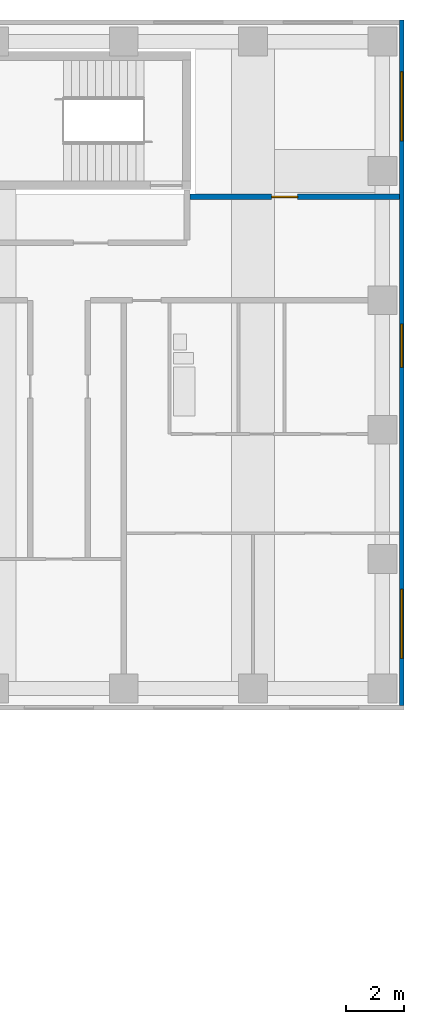
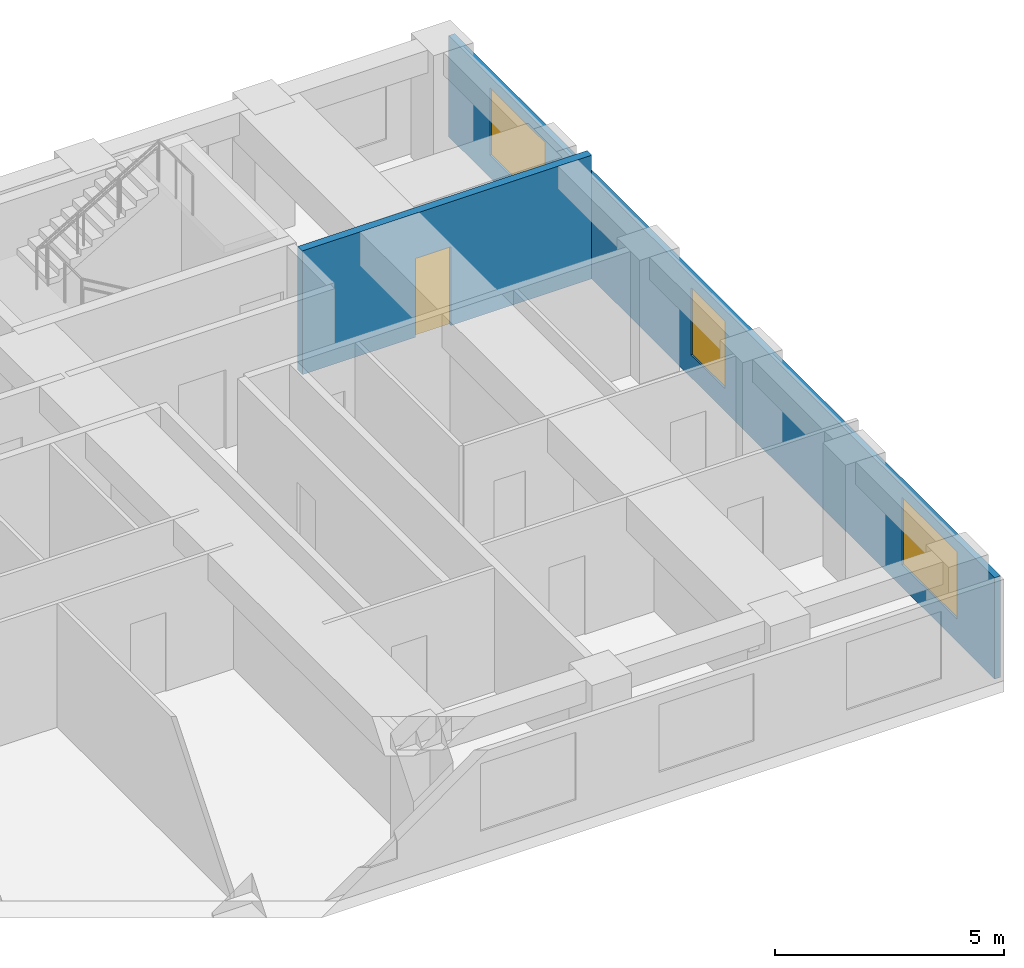
# One storey, part 9 of 12: 3 windows, 2 walls, 1 door, 4 openings.
"""IFC4 building model written with IfcOpenShell, lengths in metres."""

from ifc_helpers import new_model, si_unit, direction, frame, frame_2d, origin, place, context, subcontext, project, spatial, rectangle, extrude, material, layer, layer_set, type_object, element, fill, save


model = new_model("IFC4")

# Units and contexts
model_context = context("Model", 3, precision=1e-05, world=origin(), true_north=direction((0.0, 1.0)))
body_context = subcontext(model_context, "Body", "Model", "MODEL_VIEW")
ifc_project = project(units=[si_unit("LENGTHUNIT", "METRE"), si_unit("AREAUNIT", "SQUARE_METRE"), si_unit("VOLUMEUNIT", "CUBIC_METRE"), si_unit("PLANEANGLEUNIT", "RADIAN"), si_unit("MASSUNIT", "GRAM", prefix="KILO")], contexts=[model_context])

# Site, building, storey
site_placement = place(None, origin())
site = spatial("IfcSite", under=ifc_project, at=site_placement, CompositionType="ELEMENT")
building_placement = place(site_placement, origin())
building = spatial("IfcBuilding", under=site, at=building_placement, Name="Firuza Court", CompositionType="ELEMENT")
storey_placement = place(building_placement, frame((0.0, 0.0, 166.39990234375)))
storey = spatial("IfcBuildingStorey", under=building, at=storey_placement, Name="L42", CompositionType="ELEMENT", Elevation=166.39990234375)

# Wall, opening, door
ifc_material_1 = material(Name="Blockwork, plastered both sides", Category="masonry")
ifc_layer_1 = layer(ifc_material_1, 0.199951171875)
ifc_layer_set_1 = layer_set([ifc_layer_1], Name="Blockwork, plastered both sides")
wall_type_1 = type_object("IfcWallType", Name="Corridor wall 200", PredefinedType="PARTITIONING", material=ifc_layer_set_1)
wall_1_placement = place(storey_placement, frame((60.800048828125, 53.10009765625, 0.0), z_axis=(0.0, 0.0, 1.0), x_axis=(1.0, 0.0, 0.0)))
wall_1 = element("IfcWall", 1, at=wall_1_placement, inside=storey, type_object=wall_type_1, Name="Corridor wall 200 L42", PredefinedType="PARTITIONING", context=body_context, shape_type="SweptSolid", body=[
    extrude(rectangle(XDim=7.300048828125, YDim=0.199951171875, at=frame_2d((3.64990234375, 0.0))), origin(), (0.0, 0.0, 1.0), 3.300048828125),
])
opening_1_placement = place(wall_1_placement, frame((2.85009765625, 0.0, 0.0)))
opening_1 = element("IfcOpeningElement", 2, at=opening_1_placement, cuts=wall_1, Name="Opening D42077", PredefinedType="OPENING", context=body_context, shape_type="SweptSolid", body=[
    extrude(rectangle(XDim=0.89990234375, YDim=2.10009765625, at=frame_2d((0.449951171875, 1.050048828125))), frame((0.0, 0.11181640625, 0.0), z_axis=(0.0, -1.0, 0.0), x_axis=(1.0, 0.0, 0.0)), (0.0, 0.0, 1.0), 0.223876953125),
])
ifc_material_2 = material(Name="Timber door leaf in hardwood frame", Category="wood")
door_type = type_object("IfcDoorType", Name="Room door 900 EI 30", OperationType="SINGLE_SWING_LEFT", PredefinedType="DOOR", material=ifc_material_2)
door_placement = place(opening_1_placement, origin())
door = element("IfcDoor", 3, at=door_placement, inside=storey, type_object=door_type, Name="Meeting room door", OperationType="SINGLE_SWING_LEFT", OverallHeight=2.10009765625, OverallWidth=0.89990234375, PredefinedType="DOOR", context=body_context, shape_type="SweptSolid", body=[
    extrude(rectangle(XDim=0.89990234375, YDim=2.10009765625, at=frame_2d((0.449951171875, 1.050048828125))), frame((0.0, 0.02490234375, 0.0), z_axis=(0.0, -1.0, 0.0), x_axis=(1.0, 0.0, 0.0)), (0.0, 0.0, 1.0), 0.050048828125),
])
fill(opening_1, door)

# Wall, openings, windows
ifc_material_3 = material(Name="Ceramic tile", Category="ceramic")
ifc_layer_2 = layer(ifc_material_3, 0.02001953125)
ifc_material_4 = material(Name="Mineral wool insulation", Category="insulation")
ifc_layer_3 = layer(ifc_material_4, 0.050048828125)
ifc_material_5 = material(Name="Concrete C40/50 precast", Category="concrete")
ifc_layer_4 = layer(ifc_material_5, 0.080078125)
ifc_layer_set_2 = layer_set([ifc_layer_2, ifc_layer_3, ifc_layer_4], Name="Concrete C40/50 precast")
wall_type_2 = type_object("IfcWallType", Name="Precast cladding wall with turquoise TILE PANEL face 150", PredefinedType="STANDARD", material=ifc_layer_set_2)
wall_2_placement = place(storey_placement, frame((68.175048828125, 35.39990234375, 0.0), z_axis=(0.0, 0.0, 1.0), x_axis=(0.0, 1.0, 0.0)))
wall_2 = element("IfcWall", 4, at=wall_2_placement, inside=storey, type_object=wall_type_2, Name="Facade wall L42 E", PredefinedType="STANDARD", context=body_context, shape_type="SweptSolid", body=[
    extrude(rectangle(XDim=23.85009765625, YDim=0.14990234375, at=frame_2d((11.925048828125, 0.0))), origin(), (0.0, 0.0, 1.0), 2.7001953125),
])
opening_2_placement = place(wall_2_placement, frame((1.64990234375, 0.0, 0.60009765625)))
opening_2 = element("IfcOpeningElement", 5, at=opening_2_placement, cuts=wall_2, Name="Opening W1", PredefinedType="OPENING", context=body_context, shape_type="SweptSolid", body=[
    extrude(rectangle(XDim=2.39990234375, YDim=1.800048828125, at=frame_2d((1.199951171875, 0.89990234375))), frame((0.0, 0.0869140625, 0.0), z_axis=(0.0, -1.0, 0.0), x_axis=(1.0, 0.0, 0.0)), (0.0, 0.0, 1.0), 0.173828125),
])
opening_3_placement = place(wall_2_placement, frame((11.769287109375, 0.0, 0.60009765625)))
opening_3 = element("IfcOpeningElement", 6, at=opening_3_placement, cuts=wall_2, Name="Opening W2", PredefinedType="OPENING", context=body_context, shape_type="SweptSolid", body=[
    extrude(rectangle(XDim=1.5, YDim=1.800048828125, at=frame_2d((0.75, 0.89990234375))), frame((0.0, 0.0869140625, 0.0), z_axis=(0.0, -1.0, 0.0), x_axis=(1.0, 0.0, 0.0)), (0.0, 0.0, 1.0), 0.173828125),
])
opening_4_placement = place(wall_2_placement, frame((19.64990234375, 0.0, 0.60009765625)))
opening_4 = element("IfcOpeningElement", 7, at=opening_4_placement, cuts=wall_2, Name="Opening W1", PredefinedType="OPENING", context=body_context, shape_type="SweptSolid", body=[
    extrude(rectangle(XDim=2.39990234375, YDim=1.800048828125, at=frame_2d((1.199951171875, 0.89990234375))), frame((0.0, 0.0869140625, 0.0), z_axis=(0.0, -1.0, 0.0), x_axis=(1.0, 0.0, 0.0)), (0.0, 0.0, 1.0), 0.173828125),
])
ifc_material_6 = material(Name="Aluminium frame, triple clear glazing", Category="aluminium")
window_type_1 = type_object("IfcWindowType", Name="Window W1 2400 x 1800", PartitioningType="SINGLE_PANEL", PredefinedType="WINDOW", material=ifc_material_6)
window_1_placement = place(opening_2_placement, origin())
window_1 = element("IfcWindow", 8, at=window_1_placement, inside=storey, type_object=window_type_1, Name="Window L42", OverallHeight=1.800048828125, OverallWidth=2.39990234375, PartitioningType="SINGLE_PANEL", PredefinedType="WINDOW", context=body_context, shape_type="SweptSolid", body=[
    extrude(rectangle(XDim=2.39990234375, YDim=1.800048828125, at=frame_2d((1.199951171875, 0.89990234375))), frame((0.0, 0.030029296875, 0.0), z_axis=(0.0, -1.0, 0.0), x_axis=(1.0, 0.0, 0.0)), (0.0, 0.0, 1.0), 0.06005859375),
])
fill(opening_2, window_1)
window_2_placement = place(opening_4_placement, origin())
window_2 = element("IfcWindow", 9, at=window_2_placement, inside=storey, type_object=window_type_1, Name="Window L42", OverallHeight=1.800048828125, OverallWidth=2.39990234375, PartitioningType="SINGLE_PANEL", PredefinedType="WINDOW", context=body_context, shape_type="SweptSolid", body=[
    extrude(rectangle(XDim=2.39990234375, YDim=1.800048828125, at=frame_2d((1.199951171875, 0.89990234375))), frame((0.0, 0.030029296875, 0.0), z_axis=(0.0, -1.0, 0.0), x_axis=(1.0, 0.0, 0.0)), (0.0, 0.0, 1.0), 0.06005859375),
])
fill(opening_4, window_2)
ifc_material_7 = material(Name="Aluminium frame, triple clear glazing", Category="aluminium")
window_type_2 = type_object("IfcWindowType", Name="Window W2 1500 x 1800", PartitioningType="SINGLE_PANEL", PredefinedType="WINDOW", material=ifc_material_7)
window_3_placement = place(opening_3_placement, origin())
window_3 = element("IfcWindow", 10, at=window_3_placement, inside=storey, type_object=window_type_2, Name="Window L42", OverallHeight=1.800048828125, OverallWidth=1.5, PartitioningType="SINGLE_PANEL", PredefinedType="WINDOW", context=body_context, shape_type="SweptSolid", body=[
    extrude(rectangle(XDim=1.5, YDim=1.800048828125, at=frame_2d((0.75, 0.89990234375))), frame((0.0, 0.030029296875, 0.0), z_axis=(0.0, -1.0, 0.0), x_axis=(1.0, 0.0, 0.0)), (0.0, 0.0, 1.0), 0.06005859375),
])
fill(opening_3, window_3)

save(model, "model.ifc")
